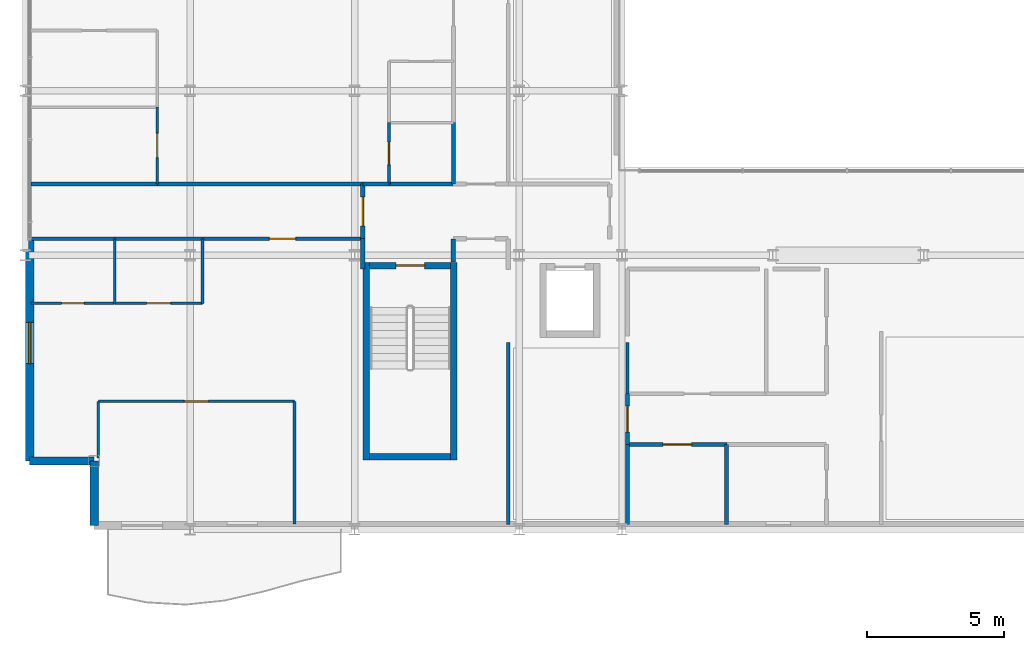
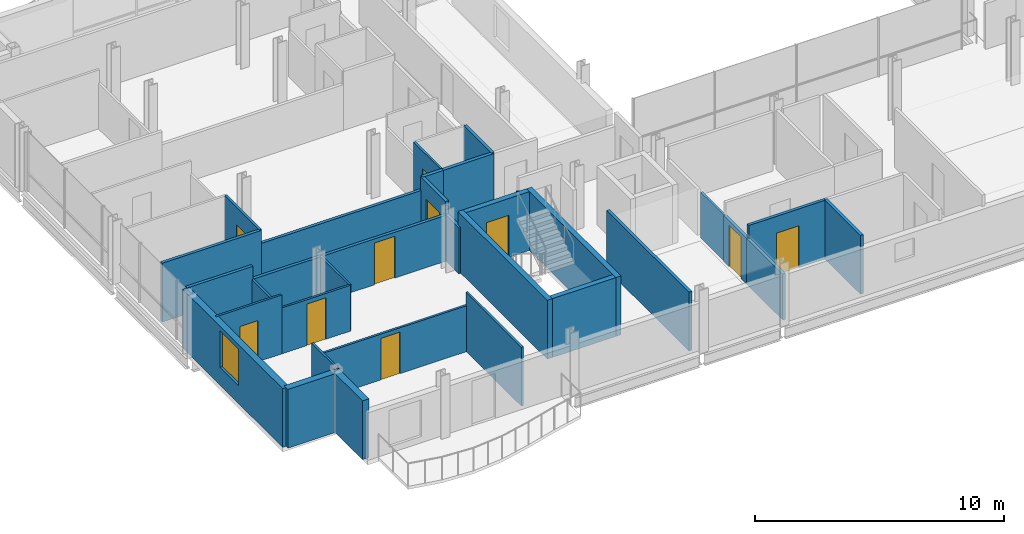
# One storey, part 33 of 41: 33 walls, 10 doors, 1 window, 11 openings.
"""IFC4 building model written with IfcOpenShell, lengths in metres."""

from ifc_helpers import new_model, si_unit, direction, frame, frame_2d, origin, place, context, subcontext, project, spatial, rectangle, extrude, material, layer, layer_set, type_object, element, fill, save


model = new_model("IFC4")

# Units and contexts
model_context = context("Model", 3, precision=1e-05, world=origin(), true_north=direction((0.0, 1.0)))
body_context = subcontext(model_context, "Body", "Model", "MODEL_VIEW")
ifc_project = project(units=[si_unit("LENGTHUNIT", "METRE"), si_unit("AREAUNIT", "SQUARE_METRE"), si_unit("VOLUMEUNIT", "CUBIC_METRE"), si_unit("PLANEANGLEUNIT", "RADIAN"), si_unit("MASSUNIT", "GRAM", prefix="KILO")], contexts=[model_context])

# Site, building, storey
site_placement = place(None, origin())
site = spatial("IfcSite", under=ifc_project, at=site_placement, CompositionType="ELEMENT")
building_placement = place(site_placement, origin())
building = spatial("IfcBuilding", under=site, at=building_placement, Name="Brevholm Reach", CompositionType="ELEMENT")
storey_placement = place(building_placement, frame((0.0, 0.0, 169.699951171875)))
storey = spatial("IfcBuildingStorey", under=building, at=storey_placement, Name="L51", CompositionType="ELEMENT", Elevation=169.699951171875)

# Walls
ifc_material_1 = material(Name="Concrete C45/55", Category="concrete")
ifc_layer_1 = layer(ifc_material_1, 0.239990234375)
ifc_layer_set_1 = layer_set([ifc_layer_1], Name="Concrete C45/55")
wall_type_1 = type_object("IfcWallType", Name="WAL-COR-240", PredefinedType="SHEAR", material=ifc_layer_set_1)
for number, where, z_axis, x_axis, name in (
    (1, (12.429931640625, 2.5400390625, 0.0), (0.0, 0.0, 1.0), (0.0, 1.0, 0.0), "L51 Escape Stair ST-1 Core Wall W"),
    (2, (15.6201171875, 2.5400390625, 0.0), (0.0, 0.0, 1.0), (0.0, 1.0, 0.0), "L51 Escape Stair ST-1 Core Wall E"),
):
    element("IfcWall", number, at=place(storey_placement, frame(where, z_axis=z_axis, x_axis=x_axis)), inside=storey, type_object=wall_type_1, Name=name, PredefinedType="SHEAR", context=body_context, shape_type="SweptSolid", body=[
        extrude(rectangle(XDim=7.199951171875, YDim=0.239990234375, at=frame_2d((3.60009765625, 0.0))), origin(), (0.0, 0.0, 1.0), 2.89013671875),
    ])
wall_1_placement = place(storey_placement, frame((12.550048828125, 2.659912109375, 0.0), z_axis=(0.0, 0.0, 1.0), x_axis=(1.0, 0.0, 0.0)))
element("IfcWall", 3, at=wall_1_placement, inside=storey, type_object=wall_type_1, Name="L51 Escape Stair ST-1 Core Wall S", PredefinedType="SHEAR", context=body_context, shape_type="SweptSolid", body=[
    extrude(rectangle(XDim=2.949951171875, YDim=0.239990234375, at=frame_2d((1.47509765625, 0.0))), origin(), (0.0, 0.0, 1.0), 2.89013671875),
])

# Wall, opening, door
wall_2_placement = place(storey_placement, frame((15.5, 9.6201171875, 0.0), z_axis=(0.0, 0.0, 1.0), x_axis=(-1.0, 0.0, 0.0)))
wall_2 = element("IfcWall", 4, at=wall_2_placement, inside=storey, type_object=wall_type_1, Name="L51 Escape Stair ST-1 Core Wall N", PredefinedType="SHEAR", context=body_context, shape_type="SweptSolid", body=[
    extrude(rectangle(XDim=2.949951171875, YDim=0.239990234375, at=frame_2d((1.47509765625, 0.0))), origin(), (0.0, 0.0, 1.0), 2.89013671875),
])
opening_1_placement = place(wall_2_placement, frame((0.949951171875, 0.0, 0.0)))
opening_1 = element("IfcOpeningElement", 5, at=opening_1_placement, cuts=wall_2, Name="Opening SD-ST-1", PredefinedType="OPENING", context=body_context, shape_type="SweptSolid", body=[
    extrude(rectangle(XDim=1.050048828125, YDim=2.06005859375, at=frame_2d((0.52490234375, 1.030029296875))), frame((0.0, 0.1298828125, 0.0), z_axis=(0.0, -1.0, 0.0), x_axis=(1.0, 0.0, 0.0)), (0.0, 0.0, 1.0), 0.260009765625),
])
ifc_material_2 = material(Name="Hardwood-Lipped Steel-Core Fire and Smoke Door", Category="steel")
door_type_1 = type_object("IfcDoorType", Name="DOR-INT-FD60S", OperationType="NOTDEFINED", PredefinedType="DOOR", material=ifc_material_2)
door_1_placement = place(opening_1_placement, origin())
door_1 = element("IfcDoor", 6, at=door_1_placement, inside=storey, type_object=door_type_1, Name="L51 Protected Stair ST-1 Lobby Door", OperationType="SINGLE_SWING_LEFT", OverallHeight=2.06005859375, OverallWidth=1.050048828125, PredefinedType="DOOR", context=body_context, shape_type="SweptSolid", body=[
    extrude(rectangle(XDim=1.050048828125, YDim=2.06005859375, at=frame_2d((0.52490234375, 1.030029296875))), frame((0.0, 0.02490234375, 0.0), z_axis=(0.0, -1.0, 0.0), x_axis=(1.0, 0.0, 0.0)), (0.0, 0.0, 1.0), 0.050048828125),
])
fill(opening_1, door_1)

# Walls
ifc_material_3 = material(Name="Concrete C40/50", Category="concrete")
ifc_layer_2 = layer(ifc_material_3, 0.300048828125)
ifc_layer_set_2 = layer_set([ifc_layer_2], Name="Concrete C40/50")
wall_type_2 = type_object("IfcWallType", Name="WAL-EXT-300", PredefinedType="STANDARD", material=ifc_layer_set_2)
for number, where, z_axis, x_axis, name in (
    (7, (2.5, 2.5, 0.0), (0.0, 0.0, 1.0), (0.0, -1.0, 0.0), "L51 Facade Wall WAL-L51-CSW1"),
    (8, (0.14990234375, 2.5, 0.0), (0.0, 0.0, 1.0), (1.0, 0.0, 0.0), "L51 Facade Wall WAL-L51-CSW2"),
):
    element("IfcWall", number, at=place(storey_placement, frame(where, z_axis=z_axis, x_axis=x_axis)), inside=storey, type_object=wall_type_2, Name=name, PredefinedType="STANDARD", context=body_context, shape_type="SweptSolid", body=[
        extrude(rectangle(XDim=2.35009765625, YDim=0.300048828125, at=frame_2d((1.175048828125, 0.0))), origin(), (0.0, 0.0, 1.0), 2.89013671875),
    ])

# Wall, opening, window
wall_3_placement = place(storey_placement, frame((0.14990234375, 10.550048828125, 0.0), z_axis=(0.0, 0.0, 1.0), x_axis=(0.0, -1.0, 0.0)))
wall_3 = element("IfcWall", 9, at=wall_3_placement, inside=storey, type_object=wall_type_2, Name="L51 Facade Wall WAL-L51-W-S", PredefinedType="STANDARD", context=body_context, shape_type="SweptSolid", body=[
    extrude(rectangle(XDim=8.050048828125, YDim=0.300048828125, at=frame_2d((4.02490234375, 0.0))), origin(), (0.0, 0.0, 1.0), 2.89013671875),
])
opening_2_placement = place(wall_3_placement, frame((3.0, 0.0, 0.8701171875)))
opening_2 = element("IfcOpeningElement", 10, at=opening_2_placement, cuts=wall_3, Name="Opening WN-05", PredefinedType="OPENING", context=body_context, shape_type="SweptSolid", body=[
    extrude(rectangle(XDim=1.5, YDim=1.800048828125, at=frame_2d((0.75, 0.89990234375))), frame((0.0, 0.159912109375, 0.0), z_axis=(0.0, -1.0, 0.0), x_axis=(1.0, 0.0, 0.0)), (0.0, 0.0, 1.0), 0.320068359375),
])
ifc_material_4 = material(Name="Dark Anodised Aluminium and Solar-Control IGU Glass", Category="aluminium")
window_type = type_object("IfcWindowType", Name="WIN-RES-1500", PartitioningType="SINGLE_PANEL", PredefinedType="WINDOW", material=ifc_material_4)
window_placement = place(opening_2_placement, origin())
window = element("IfcWindow", 11, at=window_placement, inside=storey, type_object=window_type, Name="L51 Window WIN-L51-WS-1", OverallHeight=1.800048828125, OverallWidth=1.5, PartitioningType="SINGLE_PANEL", PredefinedType="WINDOW", context=body_context, shape_type="SweptSolid", body=[
    extrude(rectangle(XDim=1.5, YDim=1.800048828125, at=frame_2d((0.75, 0.89990234375))), frame((0.0, 0.030029296875, 0.0), z_axis=(0.0, -1.0, 0.0), x_axis=(1.0, 0.0, 0.0)), (0.0, 0.0, 1.0), 0.06005859375),
])
fill(opening_2, window)

# Walls
ifc_material_5 = material(Name="Moisture-Resistant Acoustic Gypsum Stud Partition 100 mm", Category="gypsum")
ifc_layer_3 = layer(ifc_material_5, 0.10009765625)
ifc_layer_set_3 = layer_set([ifc_layer_3], Name="Moisture-Resistant Acoustic Gypsum Stud Partition 100 mm")
wall_type_3 = type_object("IfcWallType", Name="WAL-PRT-100", PredefinedType="PARTITIONING", material=ifc_layer_set_3)
wall_4_placement = place(storey_placement, frame((21.949951171875, 4.9541015625, 0.0), z_axis=(0.0, 0.0, 1.0), x_axis=(0.0, 1.0, 0.0)))
element("IfcWall", 12, at=wall_4_placement, inside=storey, type_object=wall_type_3, Name="L51 Internal Partition 012", PredefinedType="PARTITIONING", context=body_context, shape_type="SweptSolid", body=[
    extrude(rectangle(XDim=1.857177734375, YDim=0.10009765625, at=frame_2d((0.9287109375, 0.0))), origin(), (0.0, 0.0, 1.0), 2.2529296875),
])
wall_5_placement = place(storey_placement, frame((3.25, 8.25, 0.0), z_axis=(0.0, 0.0, 1.0), x_axis=(0.0, 1.0, 0.0)))
element("IfcWall", 13, at=wall_5_placement, inside=storey, type_object=wall_type_3, Name="L51 Internal Partition 069", PredefinedType="PARTITIONING", context=body_context, shape_type="SweptSolid", body=[
    extrude(rectangle(XDim=2.345947265625, YDim=0.10009765625, at=frame_2d((1.1728515625, 0.0))), origin(), (0.0, 0.0, 1.0), 2.2529296875),
])

# Wall, opening, door
wall_6_placement = place(storey_placement, frame((0.199951171875, 8.25, 0.0), z_axis=(0.0, 0.0, 1.0), x_axis=(1.0, 0.0, 0.0)))
wall_6 = element("IfcWall", 14, at=wall_6_placement, inside=storey, type_object=wall_type_3, Name="L51 Internal Partition 070", PredefinedType="PARTITIONING", context=body_context, shape_type="SweptSolid", body=[
    extrude(rectangle(XDim=3.050048828125, YDim=0.10009765625, at=frame_2d((1.52490234375, 0.0))), origin(), (0.0, 0.0, 1.0), 2.89013671875),
])
opening_3_placement = place(wall_6_placement, frame((1.114990234375, 0.0, 0.0)))
opening_3 = element("IfcOpeningElement", 15, at=opening_3_placement, cuts=wall_6, Name="Opening ID-03", PredefinedType="OPENING", context=body_context, shape_type="SweptSolid", body=[
    extrude(rectangle(XDim=0.820068359375, YDim=2.02001953125, at=frame_2d((0.41015625, 1.010009765625))), frame((0.0, 0.06005859375, 0.0), z_axis=(0.0, -1.0, 0.0), x_axis=(1.0, 0.0, 0.0)), (0.0, 0.0, 1.0), 0.1201171875),
])
ifc_material_6 = material(Name="Moisture-Resistant Painted Timber Internal Bathroom Door", Category="wood")
door_type_2 = type_object("IfcDoorType", Name="DOR-BATH-820", OperationType="NOTDEFINED", PredefinedType="DOOR", material=ifc_material_6)
door_2_placement = place(opening_3_placement, origin())
door_2 = element("IfcDoor", 16, at=door_2_placement, inside=storey, type_object=door_type_2, Name="L51 Internal Door 031", OperationType="SINGLE_SWING_RIGHT", OverallHeight=2.02001953125, OverallWidth=0.820068359375, PredefinedType="DOOR", context=body_context, shape_type="SweptSolid", body=[
    extrude(rectangle(XDim=0.820068359375, YDim=2.02001953125, at=frame_2d((0.41015625, 1.010009765625))), frame((0.0, 0.02490234375, 0.0), z_axis=(0.0, -1.0, 0.0), x_axis=(1.0, 0.0, 0.0)), (0.0, 0.0, 1.0), 0.050048828125),
])
fill(opening_3, door_2)

wall_7_placement = place(storey_placement, frame((3.25390625, 8.25, 0.0), z_axis=(0.0, 0.0, 1.0), x_axis=(1.0, 0.0, 0.0)))
wall_7 = element("IfcWall", 17, at=wall_7_placement, inside=storey, type_object=wall_type_3, Name="L51 Internal Partition 071", PredefinedType="PARTITIONING", context=body_context, shape_type="SweptSolid", body=[
    extrude(rectangle(XDim=3.196044921875, YDim=0.10009765625, at=frame_2d((1.59814453125, 0.0))), origin(), (0.0, 0.0, 1.0), 2.2529296875),
])
opening_4_placement = place(wall_7_placement, frame((1.157958984375, 0.0, 0.0)))
opening_4 = element("IfcOpeningElement", 18, at=opening_4_placement, cuts=wall_7, Name="Opening ID-01", PredefinedType="OPENING", context=body_context, shape_type="SweptSolid", body=[
    extrude(rectangle(XDim=0.8798828125, YDim=2.0400390625, at=frame_2d((0.43994140625, 1.02001953125))), frame((0.0, 0.06005859375, 0.0), z_axis=(0.0, -1.0, 0.0), x_axis=(1.0, 0.0, 0.0)), (0.0, 0.0, 1.0), 0.1201171875),
])
ifc_material_7 = material(Name="Lacquered Ash Solid-Core Acoustic Internal Door", Category="timber")
door_type_3 = type_object("IfcDoorType", Name="DOR-INT-880", OperationType="NOTDEFINED", PredefinedType="DOOR", material=ifc_material_7)
door_3_placement = place(opening_4_placement, origin())
door_3 = element("IfcDoor", 19, at=door_3_placement, inside=storey, type_object=door_type_3, Name="L51 Internal Door 032", OperationType="SINGLE_SWING_LEFT", OverallHeight=2.0400390625, OverallWidth=0.8798828125, PredefinedType="DOOR", context=body_context, shape_type="SweptSolid", body=[
    extrude(rectangle(XDim=0.8798828125, YDim=2.0400390625, at=frame_2d((0.43994140625, 1.02001953125))), frame((0.0, 0.02490234375, 0.0), z_axis=(0.0, -1.0, 0.0), x_axis=(1.0, 0.0, 0.0)), (0.0, 0.0, 1.0), 0.050048828125),
])
fill(opening_4, door_3)

# Walls
wall_8_placement = place(storey_placement, frame((6.449951171875, 8.25, 0.0), z_axis=(0.0, 0.0, 1.0), x_axis=(0.0, 1.0, 0.0)))
element("IfcWall", 20, at=wall_8_placement, inside=storey, type_object=wall_type_3, Name="L51 Internal Partition 072", PredefinedType="PARTITIONING", context=body_context, shape_type="SweptSolid", body=[
    extrude(rectangle(XDim=2.345947265625, YDim=0.10009765625, at=frame_2d((1.1728515625, 0.0))), origin(), (0.0, 0.0, 1.0), 2.2529296875),
])
wall_9_placement = place(storey_placement, frame((2.64990234375, 2.599365234375, 0.0), z_axis=(0.0, 0.0, 1.0), x_axis=(0.0, 1.0, 0.0)))
element("IfcWall", 21, at=wall_9_placement, inside=storey, type_object=wall_type_3, Name="L51 Internal Partition 073", PredefinedType="PARTITIONING", context=body_context, shape_type="SweptSolid", body=[
    extrude(rectangle(XDim=2.07275390625, YDim=0.10009765625, at=frame_2d((1.036376953125, 0.0))), origin(), (0.0, 0.0, 1.0), 2.89013671875),
])
wall_10_placement = place(storey_placement, frame((9.805908203125, 0.199951171875, 0.0), z_axis=(0.0, 0.0, 1.0), x_axis=(0.0, 1.0, 0.0)))
element("IfcWall", 22, at=wall_10_placement, inside=storey, type_object=wall_type_3, Name="L51 Internal Partition 074", PredefinedType="PARTITIONING", context=body_context, shape_type="SweptSolid", body=[
    extrude(rectangle(XDim=4.47216796875, YDim=0.10009765625, at=frame_2d((2.236083984375, 0.0))), origin(), (0.0, 0.0, 1.0), 2.89013671875),
])

# Wall, opening, door
wall_11_placement = place(storey_placement, frame((2.64990234375, 4.672119140625, 0.0), z_axis=(0.0, 0.0, 1.0), x_axis=(1.0, 0.0, 0.0)))
wall_11 = element("IfcWall", 23, at=wall_11_placement, inside=storey, type_object=wall_type_3, Name="L51 Internal Partition 075", PredefinedType="PARTITIONING", context=body_context, shape_type="SweptSolid", body=[
    extrude(rectangle(XDim=7.156005859375, YDim=0.10009765625, at=frame_2d((3.578125, 0.0))), origin(), (0.0, 0.0, 1.0), 2.2529296875),
])
opening_5_placement = place(wall_11_placement, frame((3.137939453125, 0.0, 0.0)))
opening_5 = element("IfcOpeningElement", 24, at=opening_5_placement, cuts=wall_11, Name="Opening ID-01", PredefinedType="OPENING", context=body_context, shape_type="SweptSolid", body=[
    extrude(rectangle(XDim=0.8798828125, YDim=2.0400390625, at=frame_2d((0.43994140625, 1.02001953125))), frame((0.0, 0.06005859375, 0.0), z_axis=(0.0, -1.0, 0.0), x_axis=(1.0, 0.0, 0.0)), (0.0, 0.0, 1.0), 0.1201171875),
])
door_4_placement = place(opening_5_placement, origin())
door_4 = element("IfcDoor", 25, at=door_4_placement, inside=storey, type_object=door_type_3, Name="L51 Internal Door 033", OperationType="SINGLE_SWING_RIGHT", OverallHeight=2.0400390625, OverallWidth=0.8798828125, PredefinedType="DOOR", context=body_context, shape_type="SweptSolid", body=[
    extrude(rectangle(XDim=0.8798828125, YDim=2.0400390625, at=frame_2d((0.43994140625, 1.02001953125))), frame((0.0, 0.02490234375, 0.0), z_axis=(0.0, -1.0, 0.0), x_axis=(1.0, 0.0, 0.0)), (0.0, 0.0, 1.0), 0.050048828125),
])
fill(opening_5, door_4)

wall_12_placement = place(storey_placement, frame((13.25, 12.60400390625, 0.0), z_axis=(0.0, 0.0, 1.0), x_axis=(0.0, 1.0, 0.0)))
wall_12 = element("IfcWall", 26, at=wall_12_placement, inside=storey, type_object=wall_type_3, Name="L51 Internal Partition 077", PredefinedType="PARTITIONING", context=body_context, shape_type="SweptSolid", body=[
    extrude(rectangle(XDim=2.22802734375, YDim=0.10009765625, at=frame_2d((1.114013671875, 0.0))), origin(), (0.0, 0.0, 1.0), 2.89013671875),
])
opening_6_placement = place(wall_12_placement, frame((0.7041015625, 0.0, 0.0)))
opening_6 = element("IfcOpeningElement", 27, at=opening_6_placement, cuts=wall_12, Name="Opening ID-03", PredefinedType="OPENING", context=body_context, shape_type="SweptSolid", body=[
    extrude(rectangle(XDim=0.820068359375, YDim=2.02001953125, at=frame_2d((0.41015625, 1.010009765625))), frame((0.0, 0.06005859375, 0.0), z_axis=(0.0, -1.0, 0.0), x_axis=(1.0, 0.0, 0.0)), (0.0, 0.0, 1.0), 0.1201171875),
])
door_5_placement = place(opening_6_placement, origin())
door_5 = element("IfcDoor", 28, at=door_5_placement, inside=storey, type_object=door_type_2, Name="L51 Internal Door 034", OperationType="SINGLE_SWING_LEFT", OverallHeight=2.02001953125, OverallWidth=0.820068359375, PredefinedType="DOOR", context=body_context, shape_type="SweptSolid", body=[
    extrude(rectangle(XDim=0.820068359375, YDim=2.02001953125, at=frame_2d((0.41015625, 1.010009765625))), frame((0.0, 0.02490234375, 0.0), z_axis=(0.0, -1.0, 0.0), x_axis=(1.0, 0.0, 0.0)), (0.0, 0.0, 1.0), 0.050048828125),
])
fill(opening_6, door_5)

wall_13_placement = place(storey_placement, frame((4.800048828125, 12.60400390625, 0.0), z_axis=(0.0, 0.0, 1.0), x_axis=(0.0, 1.0, 0.0)))
wall_13 = element("IfcWall", 29, at=wall_13_placement, inside=storey, type_object=wall_type_3, Name="L51 Internal Partition 081", PredefinedType="PARTITIONING", context=body_context, shape_type="SweptSolid", body=[
    extrude(rectangle(XDim=2.7958984375, YDim=0.10009765625, at=frame_2d((1.39794921875, 0.0))), origin(), (0.0, 0.0, 1.0), 2.89013671875),
])
opening_7_placement = place(wall_13_placement, frame((0.9580078125, 0.0, 0.0)))
opening_7 = element("IfcOpeningElement", 30, at=opening_7_placement, cuts=wall_13, Name="Opening ID-01", PredefinedType="OPENING", context=body_context, shape_type="SweptSolid", body=[
    extrude(rectangle(XDim=0.8798828125, YDim=2.0400390625, at=frame_2d((0.43994140625, 1.02001953125))), frame((0.0, 0.06005859375, 0.0), z_axis=(0.0, -1.0, 0.0), x_axis=(1.0, 0.0, 0.0)), (0.0, 0.0, 1.0), 0.1201171875),
])
door_6_placement = place(opening_7_placement, origin())
door_6 = element("IfcDoor", 31, at=door_6_placement, inside=storey, type_object=door_type_3, Name="L51 Internal Door 036", OperationType="SINGLE_SWING_LEFT", OverallHeight=2.0400390625, OverallWidth=0.8798828125, PredefinedType="DOOR", context=body_context, shape_type="SweptSolid", body=[
    extrude(rectangle(XDim=0.8798828125, YDim=2.0400390625, at=frame_2d((0.43994140625, 1.02001953125))), frame((0.0, 0.02490234375, 0.0), z_axis=(0.0, -1.0, 0.0), x_axis=(1.0, 0.0, 0.0)), (0.0, 0.0, 1.0), 0.050048828125),
])
fill(opening_7, door_6)

ifc_material_8 = material(Name="Twin-Stud Acoustic Fire-Rated Gypsum Partition 140 mm", Category="gypsum")
ifc_layer_4 = layer(ifc_material_8, 0.139892578125)
ifc_layer_set_4 = layer_set([ifc_layer_4], Name="Twin-Stud Acoustic Fire-Rated Gypsum Partition 140 mm")
wall_type_4 = type_object("IfcWallType", Name="WAL-PRT-140", PredefinedType="PARTITIONING", material=ifc_layer_set_4)
wall_14_placement = place(storey_placement, frame((21.949951171875, 3.10009765625, 0.0), z_axis=(0.0, 0.0, 1.0), x_axis=(1.0, 0.0, 0.0)))
wall_14 = element("IfcWall", 32, at=wall_14_placement, inside=storey, type_object=wall_type_4, Name="L51 Internal Partition 004", PredefinedType="PARTITIONING", context=body_context, shape_type="SweptSolid", body=[
    extrude(rectangle(XDim=3.621337890625, YDim=0.139892578125, at=frame_2d((1.810546875, 0.0))), origin(), (0.0, 0.0, 1.0), 2.89013671875),
])
opening_8_placement = place(wall_14_placement, frame((1.28564453125, 0.0, 0.0)))
opening_8 = element("IfcOpeningElement", 33, at=opening_8_placement, cuts=wall_14, Name="Opening FD-01", PredefinedType="OPENING", context=body_context, shape_type="SweptSolid", body=[
    extrude(rectangle(XDim=1.050048828125, YDim=2.06005859375, at=frame_2d((0.52490234375, 1.030029296875))), frame((0.0, 0.079833984375, 0.0), z_axis=(0.0, -1.0, 0.0), x_axis=(1.0, 0.0, 0.0)), (0.0, 0.0, 1.0), 0.159912109375),
])
door_7_placement = place(opening_8_placement, origin())
door_7 = element("IfcDoor", 34, at=door_7_placement, inside=storey, type_object=door_type_1, Name="L51 Internal Door 004", OperationType="SINGLE_SWING_LEFT", OverallHeight=2.06005859375, OverallWidth=1.050048828125, PredefinedType="DOOR", context=body_context, shape_type="SweptSolid", body=[
    extrude(rectangle(XDim=1.050048828125, YDim=2.06005859375, at=frame_2d((0.52490234375, 1.030029296875))), frame((0.0, 0.02490234375, 0.0), z_axis=(0.0, -1.0, 0.0), x_axis=(1.0, 0.0, 0.0)), (0.0, 0.0, 1.0), 0.050048828125),
])
fill(opening_8, door_7)

wall_15_placement = place(storey_placement, frame((21.949951171875, 3.10009765625, 0.0), z_axis=(0.0, 0.0, 1.0), x_axis=(0.0, 1.0, 0.0)))
wall_15 = element("IfcWall", 35, at=wall_15_placement, inside=storey, type_object=wall_type_4, Name="L51 Internal Partition 008", PredefinedType="PARTITIONING", context=body_context, shape_type="SweptSolid", body=[
    extrude(rectangle(XDim=1.849853515625, YDim=0.139892578125, at=frame_2d((0.9248046875, 0.0))), origin(), (0.0, 0.0, 1.0), 2.2529296875),
])
opening_9_placement = place(wall_15_placement, frame((0.449951171875, 0.0, 0.0)))
opening_9 = element("IfcOpeningElement", 36, at=opening_9_placement, cuts=wall_15, Name="Opening ID-30", PredefinedType="OPENING", context=body_context, shape_type="SweptSolid", body=[
    extrude(rectangle(XDim=0.949951171875, YDim=2.050048828125, at=frame_2d((0.47509765625, 1.02490234375))), frame((0.0, 0.079833984375, 0.0), z_axis=(0.0, -1.0, 0.0), x_axis=(1.0, 0.0, 0.0)), (0.0, 0.0, 1.0), 0.159912109375),
])
ifc_material_9 = material(Name="European Oak Veneered Solid-Core Fire Entrance Door", Category="timber")
door_type_4 = type_object("IfcDoorType", Name="DOR-FLT-FD30S", OperationType="NOTDEFINED", PredefinedType="DOOR", material=ifc_material_9)
door_8_placement = place(opening_9_placement, origin())
door_8 = element("IfcDoor", 37, at=door_8_placement, inside=storey, type_object=door_type_4, Name="L51 Internal Door 006", OperationType="SINGLE_SWING_LEFT", OverallHeight=2.050048828125, OverallWidth=0.949951171875, PredefinedType="DOOR", context=body_context, shape_type="SweptSolid", body=[
    extrude(rectangle(XDim=0.949951171875, YDim=2.050048828125, at=frame_2d((0.47509765625, 1.02490234375))), frame((0.0, 0.02490234375, 0.0), z_axis=(0.0, -1.0, 0.0), x_axis=(1.0, 0.0, 0.0)), (0.0, 0.0, 1.0), 0.050048828125),
])
fill(opening_9, door_8)

# Walls
wall_16_placement = place(storey_placement, frame((25.56005859375, 0.179931640625, 0.0), z_axis=(0.0, 0.0, 1.0), x_axis=(0.0, 1.0, 0.0)))
element("IfcWall", 38, at=wall_16_placement, inside=storey, type_object=wall_type_4, Name="L51 Internal Partition 009", PredefinedType="PARTITIONING", context=body_context, shape_type="SweptSolid", body=[
    extrude(rectangle(XDim=2.916015625, YDim=0.139892578125, at=frame_2d((1.4580078125, 0.0))), origin(), (0.0, 0.0, 1.0), 2.89013671875),
])
wall_17_placement = place(storey_placement, frame((21.949951171875, 0.179931640625, 0.0), z_axis=(0.0, 0.0, 1.0), x_axis=(0.0, 1.0, 0.0)))
element("IfcWall", 39, at=wall_17_placement, inside=storey, type_object=wall_type_4, Name="L51 Internal Partition 010", PredefinedType="PARTITIONING", context=body_context, shape_type="SweptSolid", body=[
    extrude(rectangle(XDim=2.916015625, YDim=0.139892578125, at=frame_2d((1.4580078125, 0.0))), origin(), (0.0, 0.0, 1.0), 2.2529296875),
])
wall_18_placement = place(storey_placement, frame((17.60009765625, 0.179931640625, 0.0), z_axis=(0.0, 0.0, 1.0), x_axis=(0.0, 1.0, 0.0)))
element("IfcWall", 40, at=wall_18_placement, inside=storey, type_object=wall_type_4, Name="L51 Internal Partition 020", PredefinedType="PARTITIONING", context=body_context, shape_type="SweptSolid", body=[
    extrude(rectangle(XDim=6.63134765625, YDim=0.139892578125, at=frame_2d((3.315673828125, 0.0))), origin(), (0.0, 0.0, 1.0), 2.89013671875),
])
wall_19_placement = place(storey_placement, frame((15.60009765625, 12.60400390625, 0.0), z_axis=(0.0, 0.0, 1.0), x_axis=(0.0, 1.0, 0.0)))
element("IfcWall", 41, at=wall_19_placement, inside=storey, type_object=wall_type_4, Name="L51 Internal Partition 042", PredefinedType="PARTITIONING", context=body_context, shape_type="SweptSolid", body=[
    extrude(rectangle(XDim=2.2392578125, YDim=0.139892578125, at=frame_2d((1.11962890625, 0.0))), origin(), (0.0, 0.0, 1.0), 2.89013671875),
])
wall_20_placement = place(storey_placement, frame((0.199951171875, 10.60009765625, 0.0), z_axis=(0.0, 0.0, 1.0), x_axis=(1.0, 0.0, 0.0)))
element("IfcWall", 42, at=wall_20_placement, inside=storey, type_object=wall_type_4, Name="L51 Internal Partition 064", PredefinedType="PARTITIONING", context=body_context, shape_type="SweptSolid", body=[
    extrude(rectangle(XDim=3.061279296875, YDim=0.139892578125, at=frame_2d((1.53076171875, 0.0))), origin(), (0.0, 0.0, 1.0), 2.89013671875),
])
wall_21_placement = place(storey_placement, frame((3.24267578125, 10.60009765625, 0.0), z_axis=(0.0, 0.0, 1.0), x_axis=(1.0, 0.0, 0.0)))
element("IfcWall", 43, at=wall_21_placement, inside=storey, type_object=wall_type_4, Name="L51 Internal Partition 065", PredefinedType="PARTITIONING", context=body_context, shape_type="SweptSolid", body=[
    extrude(rectangle(XDim=3.218505859375, YDim=0.139892578125, at=frame_2d((1.609375, 0.0))), origin(), (0.0, 0.0, 1.0), 2.2529296875),
])

# Wall, opening, door
wall_22_placement = place(storey_placement, frame((6.442626953125, 10.60009765625, 0.0), z_axis=(0.0, 0.0, 1.0), x_axis=(1.0, 0.0, 0.0)))
wall_22 = element("IfcWall", 44, at=wall_22_placement, inside=storey, type_object=wall_type_4, Name="L51 Internal Partition 066", PredefinedType="PARTITIONING", context=body_context, shape_type="SweptSolid", body=[
    extrude(rectangle(XDim=5.853271484375, YDim=0.139892578125, at=frame_2d((2.9267578125, 0.0))), origin(), (0.0, 0.0, 1.0), 2.2529296875),
])
opening_10_placement = place(wall_22_placement, frame((2.45166015625, 0.0, 0.0)))
opening_10 = element("IfcOpeningElement", 45, at=opening_10_placement, cuts=wall_22, Name="Opening ID-30", PredefinedType="OPENING", context=body_context, shape_type="SweptSolid", body=[
    extrude(rectangle(XDim=0.949951171875, YDim=2.050048828125, at=frame_2d((0.47509765625, 1.02490234375))), frame((0.0, 0.079833984375, 0.0), z_axis=(0.0, -1.0, 0.0), x_axis=(1.0, 0.0, 0.0)), (0.0, 0.0, 1.0), 0.159912109375),
])
door_9_placement = place(opening_10_placement, origin())
door_9 = element("IfcDoor", 46, at=door_9_placement, inside=storey, type_object=door_type_4, Name="L51 Internal Door 030", OperationType="SINGLE_SWING_LEFT", OverallHeight=2.050048828125, OverallWidth=0.949951171875, PredefinedType="DOOR", context=body_context, shape_type="SweptSolid", body=[
    extrude(rectangle(XDim=0.949951171875, YDim=2.050048828125, at=frame_2d((0.47509765625, 1.02490234375))), frame((0.0, 0.02490234375, 0.0), z_axis=(0.0, -1.0, 0.0), x_axis=(1.0, 0.0, 0.0)), (0.0, 0.0, 1.0), 0.050048828125),
])
fill(opening_10, door_9)

# Walls
wall_23_placement = place(storey_placement, frame((0.199951171875, 12.60009765625, 0.0), z_axis=(0.0, 0.0, 1.0), x_axis=(1.0, 0.0, 0.0)))
element("IfcWall", 47, at=wall_23_placement, inside=storey, type_object=wall_type_4, Name="L51 Internal Partition 067", PredefinedType="PARTITIONING", context=body_context, shape_type="SweptSolid", body=[
    extrude(rectangle(XDim=4.611328125, YDim=0.139892578125, at=frame_2d((2.3056640625, 0.0))), origin(), (0.0, 0.0, 1.0), 2.89013671875),
])
wall_24_placement = place(storey_placement, frame((4.792724609375, 12.60009765625, 0.0), z_axis=(0.0, 0.0, 1.0), x_axis=(1.0, 0.0, 0.0)))
element("IfcWall", 48, at=wall_24_placement, inside=storey, type_object=wall_type_4, Name="L51 Internal Partition 068", PredefinedType="PARTITIONING", context=body_context, shape_type="SweptSolid", body=[
    extrude(rectangle(XDim=7.503173828125, YDim=0.139892578125, at=frame_2d((3.75146484375, 0.0))), origin(), (0.0, 0.0, 1.0), 2.2529296875),
])
ifc_material_10 = material(Name="Twin-Frame Fire-Rated Gypsum Board and Mineral Wool 160 mm", Category="gypsum")
ifc_layer_5 = layer(ifc_material_10, 0.159912109375)
ifc_layer_set_5 = layer_set([ifc_layer_5], Name="Twin-Frame Fire-Rated Gypsum Board and Mineral Wool 160 mm")
wall_type_5 = type_object("IfcWallType", Name="WAL-PRT-160", PredefinedType="PARTITIONING", material=ifc_layer_set_5)
wall_25_placement = place(storey_placement, frame((15.60009765625, 9.75, 0.0), z_axis=(0.0, 0.0, 1.0), x_axis=(0.0, 1.0, 0.0)))
element("IfcWall", 49, at=wall_25_placement, inside=storey, type_object=wall_type_5, Name="L51 Internal Partition 021", PredefinedType="PARTITIONING", context=body_context, shape_type="SweptSolid", body=[
    extrude(rectangle(XDim=0.85009765625, YDim=0.159912109375, at=frame_2d((0.425048828125, 0.0))), origin(), (0.0, 0.0, 1.0), 2.2529296875),
])

# Wall, opening, door
wall_26_placement = place(storey_placement, frame((12.300048828125, 10.588623046875, 0.0), z_axis=(0.0, 0.0, 1.0), x_axis=(0.0, 1.0, 0.0)))
wall_26 = element("IfcWall", 50, at=wall_26_placement, inside=storey, type_object=wall_type_5, Name="L51 Internal Partition 030", PredefinedType="PARTITIONING", context=body_context, shape_type="SweptSolid", body=[
    extrude(rectangle(XDim=2.011474609375, YDim=0.159912109375, at=frame_2d((1.005859375, 0.0))), origin(), (0.0, 0.0, 1.0), 2.89013671875),
])
opening_11_placement = place(wall_26_placement, frame((0.480712890625, 0.0, 0.0)))
opening_11 = element("IfcOpeningElement", 51, at=opening_11_placement, cuts=wall_26, Name="Opening FD-01", PredefinedType="OPENING", context=body_context, shape_type="SweptSolid", body=[
    extrude(rectangle(XDim=1.050048828125, YDim=2.06005859375, at=frame_2d((0.52490234375, 1.030029296875))), frame((0.0, 0.08984375, 0.0), z_axis=(0.0, -1.0, 0.0), x_axis=(1.0, 0.0, 0.0)), (0.0, 0.0, 1.0), 0.179931640625),
])
door_10_placement = place(opening_11_placement, origin())
door_10 = element("IfcDoor", 52, at=door_10_placement, inside=storey, type_object=door_type_1, Name="L51 Internal Door 015", OperationType="SINGLE_SWING_RIGHT", OverallHeight=2.06005859375, OverallWidth=1.050048828125, PredefinedType="DOOR", context=body_context, shape_type="SweptSolid", body=[
    extrude(rectangle(XDim=1.050048828125, YDim=2.06005859375, at=frame_2d((0.52490234375, 1.030029296875))), frame((0.0, 0.02490234375, 0.0), z_axis=(0.0, -1.0, 0.0), x_axis=(1.0, 0.0, 0.0)), (0.0, 0.0, 1.0), 0.050048828125),
])
fill(opening_11, door_10)

# Walls
wall_27_placement = place(storey_placement, frame((12.300048828125, 9.5, 0.0), z_axis=(0.0, 0.0, 1.0), x_axis=(0.0, 1.0, 0.0)))
element("IfcWall", 53, at=wall_27_placement, inside=storey, type_object=wall_type_5, Name="L51 Internal Partition 031", PredefinedType="PARTITIONING", context=body_context, shape_type="SweptSolid", body=[
    extrude(rectangle(XDim=1.107421875, YDim=0.159912109375, at=frame_2d((0.5537109375, 0.0))), origin(), (0.0, 0.0, 1.0), 2.2529296875),
])
wall_28_placement = place(storey_placement, frame((13.23876953125, 12.60009765625, 0.0), z_axis=(0.0, 0.0, 1.0), x_axis=(1.0, 0.0, 0.0)))
element("IfcWall", 54, at=wall_28_placement, inside=storey, type_object=wall_type_5, Name="L51 Internal Partition 032", PredefinedType="PARTITIONING", context=body_context, shape_type="SweptSolid", body=[
    extrude(rectangle(XDim=2.36865234375, YDim=0.159912109375, at=frame_2d((1.184326171875, 0.0))), origin(), (0.0, 0.0, 1.0), 2.89013671875),
])
wall_29_placement = place(storey_placement, frame((12.300048828125, 12.60009765625, 0.0), z_axis=(0.0, 0.0, 1.0), x_axis=(1.0, 0.0, 0.0)))
element("IfcWall", 55, at=wall_29_placement, inside=storey, type_object=wall_type_5, Name="L51 Internal Partition 033", PredefinedType="PARTITIONING", context=body_context, shape_type="SweptSolid", body=[
    extrude(rectangle(XDim=0.957275390625, YDim=0.159912109375, at=frame_2d((0.478515625, 0.0))), origin(), (0.0, 0.0, 1.0), 2.89013671875),
])

save(model, "model.ifc")
